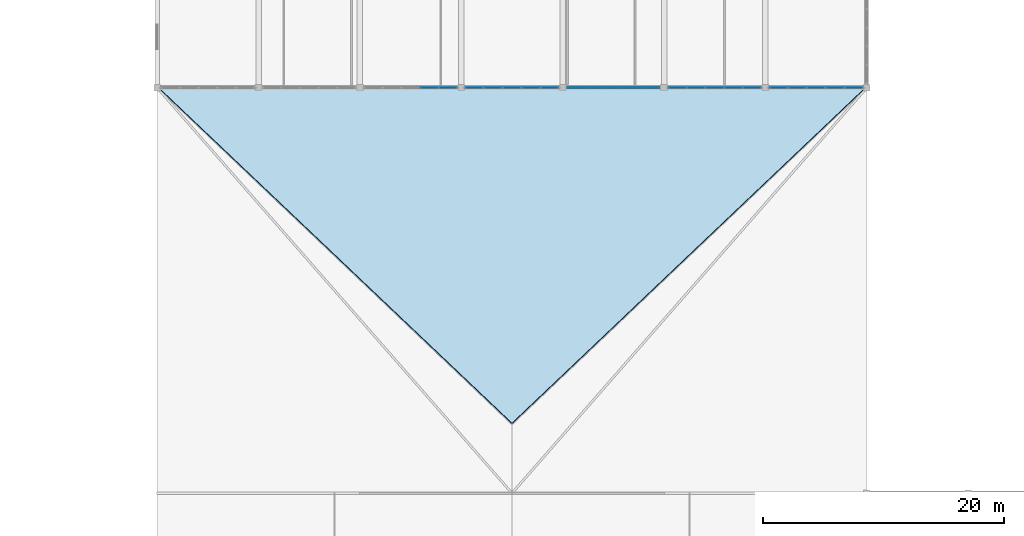
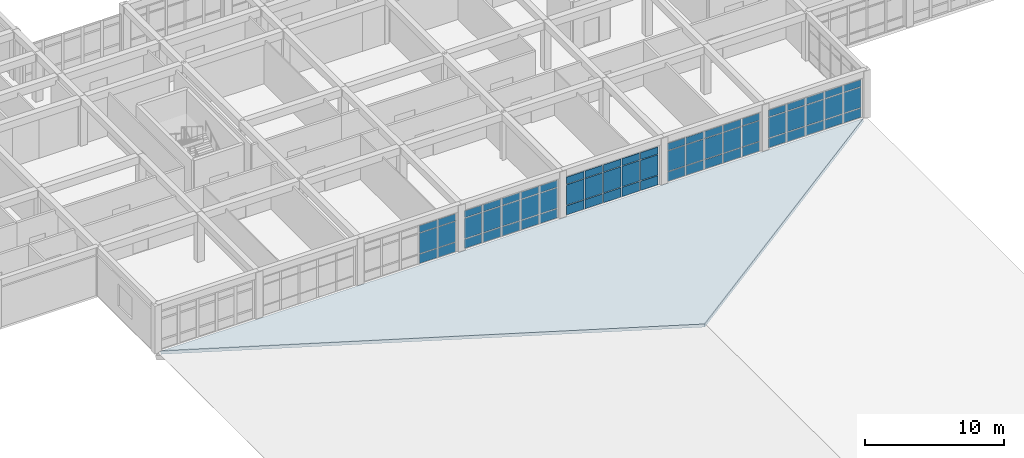
# One storey, part 35 of 77: 66 plates, 1 slab, 5 elements without a shape of their own.
"""IFC4 building model written with IfcOpenShell, lengths in metres."""

from ifc_helpers import new_model, si_unit, direction, frame, origin, origin_2d, place, context, subcontext, project, spatial, polyline, rectangle, outline, extrude, material, layer, layer_set, type_object, element, aggregate, save


model = new_model("IFC4")

# Units and contexts
model_context = context("Model", 3, precision=1e-05, world=origin(), true_north=direction((0.0, 1.0)))
body_context = subcontext(model_context, "Body", "Model", "MODEL_VIEW")
ifc_project = project(units=[si_unit("LENGTHUNIT", "METRE"), si_unit("AREAUNIT", "SQUARE_METRE"), si_unit("VOLUMEUNIT", "CUBIC_METRE"), si_unit("PLANEANGLEUNIT", "RADIAN"), si_unit("MASSUNIT", "GRAM", prefix="KILO")], contexts=[model_context])

# Site, building, storey
site_placement = place(None, origin())
site = spatial("IfcSite", under=ifc_project, at=site_placement, CompositionType="ELEMENT")
building_placement = place(site_placement, origin())
building = spatial("IfcBuilding", under=site, at=building_placement, Name="Varncliffe General Hospital", CompositionType="ELEMENT")
storey_placement = place(building_placement, frame((0.0, 0.0, 16.199951171875)))
storey = spatial("IfcBuildingStorey", under=building, at=storey_placement, Name="L03", CompositionType="ELEMENT", Elevation=16.199951171875)

# Curtain wall, plates
ifc_material_1 = material(Name="Triple low-E argon insulated vision glazing", Category="glass")
curtain_wall_type_1 = type_object("IfcCurtainWallType", Name="Unitised Glazed Curtain Wall CW23 (7774x3440)", PredefinedType="USERDEFINED", material=ifc_material_1)
curtain_wall_1_placement = place(storey_placement, origin())
curtain_wall_1 = element("IfcCurtainWall", 1, at=curtain_wall_1_placement, inside=storey, type_object=curtain_wall_type_1, Name="L03 Glazed Curtain Wall CW23-175", ObjectType="GLAZED CURTAIN WALL", PredefinedType="USERDEFINED")
ifc_layer_1 = layer(ifc_material_1, 0.035888671875)
ifc_layer_set_1 = layer_set([ifc_layer_1], Name="Triple low-E argon insulated vision glazing")
plate_type_1 = type_object("IfcPlateType", Name="Curtain Wall Glazing Panel CP27 (36mm)", PredefinedType="CURTAIN_PANEL", material=ifc_layer_set_1)
plate_1_placement = place(storey_placement, frame((108.0908203125, 74.39990234375, 0.06005859375), z_axis=(0.0, 0.0, 1.0), x_axis=(-1.0, 0.0, 0.0)))
plate_1 = element("IfcPlate", 2, at=plate_1_placement, type_object=plate_type_1, Name="CW23 panel 1.1", PredefinedType="CURTAIN_PANEL", context=body_context, shape_type="SweptSolid", body=[
    extrude(rectangle(XDim=1.4423828125, YDim=0.035888671875, at=origin_2d()), origin(), (0.0, 0.0, 1.0), 0.81005859375),
])
plate_2_placement = place(storey_placement, frame((108.0908203125, 74.39990234375, 0.93017578125), z_axis=(0.0, 0.0, 1.0), x_axis=(-1.0, 0.0, 0.0)))
plate_2 = element("IfcPlate", 3, at=plate_2_placement, type_object=plate_type_1, Name="CW23 panel 1.2", PredefinedType="CURTAIN_PANEL", context=body_context, shape_type="SweptSolid", body=[
    extrude(rectangle(XDim=1.4423828125, YDim=0.035888671875, at=origin_2d()), origin(), (0.0, 0.0, 1.0), 1.780029296875),
])
plate_3_placement = place(storey_placement, frame((108.0908203125, 74.39990234375, 2.77001953125), z_axis=(0.0, 0.0, 1.0), x_axis=(-1.0, 0.0, 0.0)))
plate_3 = element("IfcPlate", 4, at=plate_3_placement, type_object=plate_type_1, Name="CW23 panel 1.3", PredefinedType="CURTAIN_PANEL", context=body_context, shape_type="SweptSolid", body=[
    extrude(rectangle(XDim=1.4423828125, YDim=0.035888671875, at=origin_2d()), origin(), (0.0, 0.0, 1.0), 0.610107421875),
])
plate_4_placement = place(storey_placement, frame((106.5546875, 74.39990234375, 0.06005859375), z_axis=(0.0, 0.0, 1.0), x_axis=(-1.0, 0.0, 0.0)))
plate_4 = element("IfcPlate", 5, at=plate_4_placement, type_object=plate_type_1, Name="CW23 panel 2.1", PredefinedType="CURTAIN_PANEL", context=body_context, shape_type="SweptSolid", body=[
    extrude(rectangle(XDim=1.479736328125, YDim=0.035888671875, at=origin_2d()), origin(), (0.0, 0.0, 1.0), 0.81005859375),
])
plate_5_placement = place(storey_placement, frame((106.5546875, 74.39990234375, 0.93017578125), z_axis=(0.0, 0.0, 1.0), x_axis=(-1.0, 0.0, 0.0)))
plate_5 = element("IfcPlate", 6, at=plate_5_placement, type_object=plate_type_1, Name="CW23 panel 2.2", PredefinedType="CURTAIN_PANEL", context=body_context, shape_type="SweptSolid", body=[
    extrude(rectangle(XDim=1.479736328125, YDim=0.035888671875, at=origin_2d()), origin(), (0.0, 0.0, 1.0), 1.780029296875),
])
plate_6_placement = place(storey_placement, frame((106.5546875, 74.39990234375, 2.77001953125), z_axis=(0.0, 0.0, 1.0), x_axis=(-1.0, 0.0, 0.0)))
plate_6 = element("IfcPlate", 7, at=plate_6_placement, type_object=plate_type_1, Name="CW23 panel 2.3", PredefinedType="CURTAIN_PANEL", context=body_context, shape_type="SweptSolid", body=[
    extrude(rectangle(XDim=1.479736328125, YDim=0.035888671875, at=origin_2d()), origin(), (0.0, 0.0, 1.0), 0.610107421875),
])
plate_7_placement = place(storey_placement, frame((105.0, 74.39990234375, 0.06005859375), z_axis=(0.0, 0.0, 1.0), x_axis=(-1.0, 0.0, 0.0)))
plate_7 = element("IfcPlate", 8, at=plate_7_placement, type_object=plate_type_1, Name="CW23 panel 3.1", PredefinedType="CURTAIN_PANEL", context=body_context, shape_type="SweptSolid", body=[
    extrude(rectangle(XDim=1.479736328125, YDim=0.035888671875, at=origin_2d()), origin(), (0.0, 0.0, 1.0), 0.81005859375),
])
plate_8_placement = place(storey_placement, frame((105.0, 74.39990234375, 0.93017578125), z_axis=(0.0, 0.0, 1.0), x_axis=(-1.0, 0.0, 0.0)))
plate_8 = element("IfcPlate", 9, at=plate_8_placement, type_object=plate_type_1, Name="CW23 panel 3.2", PredefinedType="CURTAIN_PANEL", context=body_context, shape_type="SweptSolid", body=[
    extrude(rectangle(XDim=1.479736328125, YDim=0.035888671875, at=origin_2d()), origin(), (0.0, 0.0, 1.0), 1.780029296875),
])
plate_9_placement = place(storey_placement, frame((105.0, 74.39990234375, 2.77001953125), z_axis=(0.0, 0.0, 1.0), x_axis=(-1.0, 0.0, 0.0)))
plate_9 = element("IfcPlate", 10, at=plate_9_placement, type_object=plate_type_1, Name="CW23 panel 3.3", PredefinedType="CURTAIN_PANEL", context=body_context, shape_type="SweptSolid", body=[
    extrude(rectangle(XDim=1.479736328125, YDim=0.035888671875, at=origin_2d()), origin(), (0.0, 0.0, 1.0), 0.610107421875),
])
plate_10_placement = place(storey_placement, frame((103.4453125, 74.39990234375, 0.06005859375), z_axis=(0.0, 0.0, 1.0), x_axis=(-1.0, 0.0, 0.0)))
plate_10 = element("IfcPlate", 11, at=plate_10_placement, type_object=plate_type_1, Name="CW23 panel 4.1", PredefinedType="CURTAIN_PANEL", context=body_context, shape_type="SweptSolid", body=[
    extrude(rectangle(XDim=1.479736328125, YDim=0.035888671875, at=origin_2d()), origin(), (0.0, 0.0, 1.0), 0.81005859375),
])
plate_11_placement = place(storey_placement, frame((103.4453125, 74.39990234375, 0.93017578125), z_axis=(0.0, 0.0, 1.0), x_axis=(-1.0, 0.0, 0.0)))
plate_11 = element("IfcPlate", 12, at=plate_11_placement, type_object=plate_type_1, Name="CW23 panel 4.2", PredefinedType="CURTAIN_PANEL", context=body_context, shape_type="SweptSolid", body=[
    extrude(rectangle(XDim=1.479736328125, YDim=0.035888671875, at=origin_2d()), origin(), (0.0, 0.0, 1.0), 1.780029296875),
])
plate_12_placement = place(storey_placement, frame((103.4453125, 74.39990234375, 2.77001953125), z_axis=(0.0, 0.0, 1.0), x_axis=(-1.0, 0.0, 0.0)))
plate_12 = element("IfcPlate", 13, at=plate_12_placement, type_object=plate_type_1, Name="CW23 panel 4.3", PredefinedType="CURTAIN_PANEL", context=body_context, shape_type="SweptSolid", body=[
    extrude(rectangle(XDim=1.479736328125, YDim=0.035888671875, at=origin_2d()), origin(), (0.0, 0.0, 1.0), 0.610107421875),
])
plate_13_placement = place(storey_placement, frame((101.9091796875, 74.39990234375, 0.06005859375), z_axis=(0.0, 0.0, 1.0), x_axis=(-1.0, 0.0, 0.0)))
plate_13 = element("IfcPlate", 14, at=plate_13_placement, type_object=plate_type_1, Name="CW23 panel 5.1", PredefinedType="CURTAIN_PANEL", context=body_context, shape_type="SweptSolid", body=[
    extrude(rectangle(XDim=1.4423828125, YDim=0.035888671875, at=origin_2d()), origin(), (0.0, 0.0, 1.0), 0.81005859375),
])
plate_14_placement = place(storey_placement, frame((101.9091796875, 74.39990234375, 0.93017578125), z_axis=(0.0, 0.0, 1.0), x_axis=(-1.0, 0.0, 0.0)))
plate_14 = element("IfcPlate", 15, at=plate_14_placement, type_object=plate_type_1, Name="CW23 panel 5.2", PredefinedType="CURTAIN_PANEL", context=body_context, shape_type="SweptSolid", body=[
    extrude(rectangle(XDim=1.4423828125, YDim=0.035888671875, at=origin_2d()), origin(), (0.0, 0.0, 1.0), 1.780029296875),
])
plate_15_placement = place(storey_placement, frame((101.9091796875, 74.39990234375, 2.77001953125), z_axis=(0.0, 0.0, 1.0), x_axis=(-1.0, 0.0, 0.0)))
plate_15 = element("IfcPlate", 16, at=plate_15_placement, type_object=plate_type_1, Name="CW23 panel 5.3", PredefinedType="CURTAIN_PANEL", context=body_context, shape_type="SweptSolid", body=[
    extrude(rectangle(XDim=1.4423828125, YDim=0.035888671875, at=origin_2d()), origin(), (0.0, 0.0, 1.0), 0.610107421875),
])
aggregate(curtain_wall_1, [plate_1, plate_2, plate_3, plate_4, plate_5, plate_6, plate_7, plate_8, plate_9, plate_10, plate_11, plate_12, plate_13, plate_14, plate_15])

curtain_wall_2_placement = place(storey_placement, origin())
curtain_wall_2 = element("IfcCurtainWall", 17, at=curtain_wall_2_placement, inside=storey, type_object=curtain_wall_type_1, Name="L03 Glazed Curtain Wall CW23-178", ObjectType="GLAZED CURTAIN WALL", PredefinedType="USERDEFINED")
plate_16_placement = place(storey_placement, frame((82.890869140625, 74.39990234375, 0.06005859375), z_axis=(0.0, 0.0, 1.0), x_axis=(-1.0, 0.0, 0.0)))
plate_16 = element("IfcPlate", 18, at=plate_16_placement, type_object=plate_type_1, Name="CW23 panel 1.1", PredefinedType="CURTAIN_PANEL", context=body_context, shape_type="SweptSolid", body=[
    extrude(rectangle(XDim=1.4423828125, YDim=0.035888671875, at=origin_2d()), origin(), (0.0, 0.0, 1.0), 0.81005859375),
])
plate_17_placement = place(storey_placement, frame((82.890869140625, 74.39990234375, 0.93017578125), z_axis=(0.0, 0.0, 1.0), x_axis=(-1.0, 0.0, 0.0)))
plate_17 = element("IfcPlate", 19, at=plate_17_placement, type_object=plate_type_1, Name="CW23 panel 1.2", PredefinedType="CURTAIN_PANEL", context=body_context, shape_type="SweptSolid", body=[
    extrude(rectangle(XDim=1.4423828125, YDim=0.035888671875, at=origin_2d()), origin(), (0.0, 0.0, 1.0), 1.780029296875),
])
plate_18_placement = place(storey_placement, frame((82.890869140625, 74.39990234375, 2.77001953125), z_axis=(0.0, 0.0, 1.0), x_axis=(-1.0, 0.0, 0.0)))
plate_18 = element("IfcPlate", 20, at=plate_18_placement, type_object=plate_type_1, Name="CW23 panel 1.3", PredefinedType="CURTAIN_PANEL", context=body_context, shape_type="SweptSolid", body=[
    extrude(rectangle(XDim=1.4423828125, YDim=0.035888671875, at=origin_2d()), origin(), (0.0, 0.0, 1.0), 0.610107421875),
])
plate_19_placement = place(storey_placement, frame((81.354736328125, 74.39990234375, 0.06005859375), z_axis=(0.0, 0.0, 1.0), x_axis=(-1.0, 0.0, 0.0)))
plate_19 = element("IfcPlate", 21, at=plate_19_placement, type_object=plate_type_1, Name="CW23 panel 2.1", PredefinedType="CURTAIN_PANEL", context=body_context, shape_type="SweptSolid", body=[
    extrude(rectangle(XDim=1.479736328125, YDim=0.035888671875, at=origin_2d()), origin(), (0.0, 0.0, 1.0), 0.81005859375),
])
plate_20_placement = place(storey_placement, frame((81.354736328125, 74.39990234375, 0.93017578125), z_axis=(0.0, 0.0, 1.0), x_axis=(-1.0, 0.0, 0.0)))
plate_20 = element("IfcPlate", 22, at=plate_20_placement, type_object=plate_type_1, Name="CW23 panel 2.2", PredefinedType="CURTAIN_PANEL", context=body_context, shape_type="SweptSolid", body=[
    extrude(rectangle(XDim=1.479736328125, YDim=0.035888671875, at=origin_2d()), origin(), (0.0, 0.0, 1.0), 1.780029296875),
])
plate_21_placement = place(storey_placement, frame((81.354736328125, 74.39990234375, 2.77001953125), z_axis=(0.0, 0.0, 1.0), x_axis=(-1.0, 0.0, 0.0)))
plate_21 = element("IfcPlate", 23, at=plate_21_placement, type_object=plate_type_1, Name="CW23 panel 2.3", PredefinedType="CURTAIN_PANEL", context=body_context, shape_type="SweptSolid", body=[
    extrude(rectangle(XDim=1.479736328125, YDim=0.035888671875, at=origin_2d()), origin(), (0.0, 0.0, 1.0), 0.610107421875),
])
aggregate(curtain_wall_2, [plate_16, plate_17, plate_18, plate_19, plate_20, plate_21])

curtain_wall_type_2 = type_object("IfcCurtainWallType", Name="Unitised Glazed Curtain Wall CW37 (7694x3440)", PredefinedType="USERDEFINED", material=ifc_material_1)
curtain_wall_3_placement = place(storey_placement, origin())
curtain_wall_3 = element("IfcCurtainWall", 24, at=curtain_wall_3_placement, inside=storey, type_object=curtain_wall_type_2, Name="L03 Glazed Curtain Wall CW37-176", ObjectType="GLAZED CURTAIN WALL", PredefinedType="USERDEFINED")
ifc_material_2 = material(Name="Insulated ceramic-fritted spandrel glazing panel", Category="glass")
ifc_layer_2 = layer(ifc_material_2, 0.06396484375)
ifc_layer_set_2 = layer_set([ifc_layer_2], Name="Insulated ceramic-fritted spandrel glazing panel")
plate_type_2 = type_object("IfcPlateType", Name="Curtain Wall Glazing Panel CP41 (64mm)", PredefinedType="CURTAIN_PANEL", material=ifc_layer_set_2)
plate_22_placement = place(storey_placement, frame((99.661376953125, 74.39990234375, 0.06005859375), z_axis=(0.0, 0.0, 1.0), x_axis=(-1.0, 0.0, 0.0)))
plate_22 = element("IfcPlate", 25, at=plate_22_placement, type_object=plate_type_2, Name="CW37 panel 1.1", PredefinedType="CURTAIN_PANEL", context=body_context, shape_type="SweptSolid", body=[
    extrude(rectangle(XDim=1.44140625, YDim=0.06396484375, at=origin_2d()), origin(), (0.0, 0.0, 1.0), 0.81005859375),
])
plate_23_placement = place(storey_placement, frame((99.661376953125, 74.39990234375, 0.93017578125), z_axis=(0.0, 0.0, 1.0), x_axis=(-1.0, 0.0, 0.0)))
plate_23 = element("IfcPlate", 26, at=plate_23_placement, type_object=plate_type_2, Name="CW37 panel 1.2", PredefinedType="CURTAIN_PANEL", context=body_context, shape_type="SweptSolid", body=[
    extrude(rectangle(XDim=1.44140625, YDim=0.06396484375, at=origin_2d()), origin(), (0.0, 0.0, 1.0), 1.780029296875),
])
plate_24_placement = place(storey_placement, frame((99.661376953125, 74.39990234375, 2.77001953125), z_axis=(0.0, 0.0, 1.0), x_axis=(-1.0, 0.0, 0.0)))
plate_24 = element("IfcPlate", 27, at=plate_24_placement, type_object=plate_type_2, Name="CW37 panel 1.3", PredefinedType="CURTAIN_PANEL", context=body_context, shape_type="SweptSolid", body=[
    extrude(rectangle(XDim=1.44140625, YDim=0.06396484375, at=origin_2d()), origin(), (0.0, 0.0, 1.0), 0.610107421875),
])
plate_25_placement = place(storey_placement, frame((98.138916015625, 74.39990234375, 0.06005859375), z_axis=(0.0, 0.0, 1.0), x_axis=(-1.0, 0.0, 0.0)))
plate_25 = element("IfcPlate", 28, at=plate_25_placement, type_object=plate_type_2, Name="CW37 panel 2.1", PredefinedType="CURTAIN_PANEL", context=body_context, shape_type="SweptSolid", body=[
    extrude(rectangle(XDim=1.473876953125, YDim=0.06396484375, at=origin_2d()), origin(), (0.0, 0.0, 1.0), 0.81005859375),
])
plate_26_placement = place(storey_placement, frame((98.138916015625, 74.39990234375, 0.93017578125), z_axis=(0.0, 0.0, 1.0), x_axis=(-1.0, 0.0, 0.0)))
plate_26 = element("IfcPlate", 29, at=plate_26_placement, type_object=plate_type_2, Name="CW37 panel 2.2", PredefinedType="CURTAIN_PANEL", context=body_context, shape_type="SweptSolid", body=[
    extrude(rectangle(XDim=1.473876953125, YDim=0.06396484375, at=origin_2d()), origin(), (0.0, 0.0, 1.0), 1.780029296875),
])
plate_27_placement = place(storey_placement, frame((98.138916015625, 74.39990234375, 2.77001953125), z_axis=(0.0, 0.0, 1.0), x_axis=(-1.0, 0.0, 0.0)))
plate_27 = element("IfcPlate", 30, at=plate_27_placement, type_object=plate_type_2, Name="CW37 panel 2.3", PredefinedType="CURTAIN_PANEL", context=body_context, shape_type="SweptSolid", body=[
    extrude(rectangle(XDim=1.473876953125, YDim=0.06396484375, at=origin_2d()), origin(), (0.0, 0.0, 1.0), 0.610107421875),
])
plate_28_placement = place(storey_placement, frame((96.60009765625, 74.39990234375, 0.06005859375), z_axis=(0.0, 0.0, 1.0), x_axis=(-1.0, 0.0, 0.0)))
plate_28 = element("IfcPlate", 31, at=plate_28_placement, type_object=plate_type_2, Name="CW37 panel 3.1", PredefinedType="CURTAIN_PANEL", context=body_context, shape_type="SweptSolid", body=[
    extrude(rectangle(XDim=1.473876953125, YDim=0.06396484375, at=origin_2d()), origin(), (0.0, 0.0, 1.0), 0.81005859375),
])
plate_29_placement = place(storey_placement, frame((96.60009765625, 74.39990234375, 0.93017578125), z_axis=(0.0, 0.0, 1.0), x_axis=(-1.0, 0.0, 0.0)))
plate_29 = element("IfcPlate", 32, at=plate_29_placement, type_object=plate_type_2, Name="CW37 panel 3.2", PredefinedType="CURTAIN_PANEL", context=body_context, shape_type="SweptSolid", body=[
    extrude(rectangle(XDim=1.473876953125, YDim=0.06396484375, at=origin_2d()), origin(), (0.0, 0.0, 1.0), 1.780029296875),
])
plate_30_placement = place(storey_placement, frame((96.60009765625, 74.39990234375, 2.77001953125), z_axis=(0.0, 0.0, 1.0), x_axis=(-1.0, 0.0, 0.0)))
plate_30 = element("IfcPlate", 33, at=plate_30_placement, type_object=plate_type_2, Name="CW37 panel 3.3", PredefinedType="CURTAIN_PANEL", context=body_context, shape_type="SweptSolid", body=[
    extrude(rectangle(XDim=1.473876953125, YDim=0.06396484375, at=origin_2d()), origin(), (0.0, 0.0, 1.0), 0.610107421875),
])
plate_31_placement = place(storey_placement, frame((95.061279296875, 74.39990234375, 0.06005859375), z_axis=(0.0, 0.0, 1.0), x_axis=(-1.0, 0.0, 0.0)))
plate_31 = element("IfcPlate", 34, at=plate_31_placement, type_object=plate_type_2, Name="CW37 panel 4.1", PredefinedType="CURTAIN_PANEL", context=body_context, shape_type="SweptSolid", body=[
    extrude(rectangle(XDim=1.473876953125, YDim=0.06396484375, at=origin_2d()), origin(), (0.0, 0.0, 1.0), 0.81005859375),
])
plate_32_placement = place(storey_placement, frame((95.061279296875, 74.39990234375, 0.93017578125), z_axis=(0.0, 0.0, 1.0), x_axis=(-1.0, 0.0, 0.0)))
plate_32 = element("IfcPlate", 35, at=plate_32_placement, type_object=plate_type_2, Name="CW37 panel 4.2", PredefinedType="CURTAIN_PANEL", context=body_context, shape_type="SweptSolid", body=[
    extrude(rectangle(XDim=1.473876953125, YDim=0.06396484375, at=origin_2d()), origin(), (0.0, 0.0, 1.0), 1.780029296875),
])
plate_33_placement = place(storey_placement, frame((95.061279296875, 74.39990234375, 2.77001953125), z_axis=(0.0, 0.0, 1.0), x_axis=(-1.0, 0.0, 0.0)))
plate_33 = element("IfcPlate", 36, at=plate_33_placement, type_object=plate_type_2, Name="CW37 panel 4.3", PredefinedType="CURTAIN_PANEL", context=body_context, shape_type="SweptSolid", body=[
    extrude(rectangle(XDim=1.473876953125, YDim=0.06396484375, at=origin_2d()), origin(), (0.0, 0.0, 1.0), 0.610107421875),
])
plate_34_placement = place(storey_placement, frame((93.53857421875, 74.39990234375, 0.06005859375), z_axis=(0.0, 0.0, 1.0), x_axis=(-1.0, 0.0, 0.0)))
plate_34 = element("IfcPlate", 37, at=plate_34_placement, type_object=plate_type_2, Name="CW37 panel 5.1", PredefinedType="CURTAIN_PANEL", context=body_context, shape_type="SweptSolid", body=[
    extrude(rectangle(XDim=1.44140625, YDim=0.06396484375, at=origin_2d()), origin(), (0.0, 0.0, 1.0), 0.81005859375),
])
plate_35_placement = place(storey_placement, frame((93.53857421875, 74.39990234375, 0.93017578125), z_axis=(0.0, 0.0, 1.0), x_axis=(-1.0, 0.0, 0.0)))
plate_35 = element("IfcPlate", 38, at=plate_35_placement, type_object=plate_type_2, Name="CW37 panel 5.2", PredefinedType="CURTAIN_PANEL", context=body_context, shape_type="SweptSolid", body=[
    extrude(rectangle(XDim=1.44140625, YDim=0.06396484375, at=origin_2d()), origin(), (0.0, 0.0, 1.0), 1.780029296875),
])
plate_36_placement = place(storey_placement, frame((93.53857421875, 74.39990234375, 2.77001953125), z_axis=(0.0, 0.0, 1.0), x_axis=(-1.0, 0.0, 0.0)))
plate_36 = element("IfcPlate", 39, at=plate_36_placement, type_object=plate_type_2, Name="CW37 panel 5.3", PredefinedType="CURTAIN_PANEL", context=body_context, shape_type="SweptSolid", body=[
    extrude(rectangle(XDim=1.44140625, YDim=0.06396484375, at=origin_2d()), origin(), (0.0, 0.0, 1.0), 0.610107421875),
])
aggregate(curtain_wall_3, [plate_22, plate_23, plate_24, plate_25, plate_26, plate_27, plate_28, plate_29, plate_30, plate_31, plate_32, plate_33, plate_34, plate_35, plate_36])

curtain_wall_type_3 = type_object("IfcCurtainWallType", Name="Unitised Glazed Curtain Wall CW83 (7854x3440)", PredefinedType="USERDEFINED", material=ifc_material_1)
curtain_wall_4_placement = place(storey_placement, origin())
curtain_wall_4 = element("IfcCurtainWall", 40, at=curtain_wall_4_placement, inside=storey, type_object=curtain_wall_type_3, Name="L03 Glazed Curtain Wall CW83-174", ObjectType="GLAZED CURTAIN WALL", PredefinedType="USERDEFINED")
ifc_layer_3 = layer(ifc_material_1, 0.028076171875)
ifc_layer_set_3 = layer_set([ifc_layer_3], Name="Triple low-E argon insulated vision glazing")
plate_type_3 = type_object("IfcPlateType", Name="Curtain Wall Glazing Panel CP48 (28mm)", PredefinedType="CURTAIN_PANEL", material=ifc_layer_set_3)
plate_37_placement = place(storey_placement, frame((116.52294921875, 74.39990234375, 0.06494140625), z_axis=(0.0, 0.0, 1.0), x_axis=(-1.0, 0.0, 0.0)))
plate_37 = element("IfcPlate", 41, at=plate_37_placement, type_object=plate_type_3, Name="CW83 panel 1.1", PredefinedType="CURTAIN_PANEL", context=body_context, shape_type="SweptSolid", body=[
    extrude(rectangle(XDim=1.458251953125, YDim=0.028076171875, at=origin_2d()), origin(), (0.0, 0.0, 1.0), 0.802490234375),
])
plate_38_placement = place(storey_placement, frame((116.52294921875, 74.39990234375, 0.9326171875), z_axis=(0.0, 0.0, 1.0), x_axis=(-1.0, 0.0, 0.0)))
plate_38 = element("IfcPlate", 42, at=plate_38_placement, type_object=plate_type_3, Name="CW83 panel 1.2", PredefinedType="CURTAIN_PANEL", context=body_context, shape_type="SweptSolid", body=[
    extrude(rectangle(XDim=1.458251953125, YDim=0.028076171875, at=origin_2d()), origin(), (0.0, 0.0, 1.0), 1.77490234375),
])
plate_39_placement = place(storey_placement, frame((116.52294921875, 74.39990234375, 2.7724609375), z_axis=(0.0, 0.0, 1.0), x_axis=(-1.0, 0.0, 0.0)))
plate_39 = element("IfcPlate", 43, at=plate_39_placement, type_object=plate_type_3, Name="CW83 panel 1.3", PredefinedType="CURTAIN_PANEL", context=body_context, shape_type="SweptSolid", body=[
    extrude(rectangle(XDim=1.458251953125, YDim=0.028076171875, at=origin_2d()), origin(), (0.0, 0.0, 1.0), 0.6025390625),
])
plate_40_placement = place(storey_placement, frame((114.970703125, 74.39990234375, 0.06494140625), z_axis=(0.0, 0.0, 1.0), x_axis=(-1.0, 0.0, 0.0)))
plate_40 = element("IfcPlate", 44, at=plate_40_placement, type_object=plate_type_3, Name="CW83 panel 2.1", PredefinedType="CURTAIN_PANEL", context=body_context, shape_type="SweptSolid", body=[
    extrude(rectangle(XDim=1.495849609375, YDim=0.028076171875, at=origin_2d()), origin(), (0.0, 0.0, 1.0), 0.802490234375),
])
plate_41_placement = place(storey_placement, frame((114.970703125, 74.39990234375, 0.9326171875), z_axis=(0.0, 0.0, 1.0), x_axis=(-1.0, 0.0, 0.0)))
plate_41 = element("IfcPlate", 45, at=plate_41_placement, type_object=plate_type_3, Name="CW83 panel 2.2", PredefinedType="CURTAIN_PANEL", context=body_context, shape_type="SweptSolid", body=[
    extrude(rectangle(XDim=1.495849609375, YDim=0.028076171875, at=origin_2d()), origin(), (0.0, 0.0, 1.0), 1.77490234375),
])
plate_42_placement = place(storey_placement, frame((114.970703125, 74.39990234375, 2.7724609375), z_axis=(0.0, 0.0, 1.0), x_axis=(-1.0, 0.0, 0.0)))
plate_42 = element("IfcPlate", 46, at=plate_42_placement, type_object=plate_type_3, Name="CW83 panel 2.3", PredefinedType="CURTAIN_PANEL", context=body_context, shape_type="SweptSolid", body=[
    extrude(rectangle(XDim=1.495849609375, YDim=0.028076171875, at=origin_2d()), origin(), (0.0, 0.0, 1.0), 0.6025390625),
])
plate_43_placement = place(storey_placement, frame((113.39990234375, 74.39990234375, 0.06494140625), z_axis=(0.0, 0.0, 1.0), x_axis=(-1.0, 0.0, 0.0)))
plate_43 = element("IfcPlate", 47, at=plate_43_placement, type_object=plate_type_3, Name="CW83 panel 3.1", PredefinedType="CURTAIN_PANEL", context=body_context, shape_type="SweptSolid", body=[
    extrude(rectangle(XDim=1.495849609375, YDim=0.028076171875, at=origin_2d()), origin(), (0.0, 0.0, 1.0), 0.802490234375),
])
plate_44_placement = place(storey_placement, frame((113.39990234375, 74.39990234375, 0.9326171875), z_axis=(0.0, 0.0, 1.0), x_axis=(-1.0, 0.0, 0.0)))
plate_44 = element("IfcPlate", 48, at=plate_44_placement, type_object=plate_type_3, Name="CW83 panel 3.2", PredefinedType="CURTAIN_PANEL", context=body_context, shape_type="SweptSolid", body=[
    extrude(rectangle(XDim=1.495849609375, YDim=0.028076171875, at=origin_2d()), origin(), (0.0, 0.0, 1.0), 1.77490234375),
])
plate_45_placement = place(storey_placement, frame((113.39990234375, 74.39990234375, 2.7724609375), z_axis=(0.0, 0.0, 1.0), x_axis=(-1.0, 0.0, 0.0)))
plate_45 = element("IfcPlate", 49, at=plate_45_placement, type_object=plate_type_3, Name="CW83 panel 3.3", PredefinedType="CURTAIN_PANEL", context=body_context, shape_type="SweptSolid", body=[
    extrude(rectangle(XDim=1.495849609375, YDim=0.028076171875, at=origin_2d()), origin(), (0.0, 0.0, 1.0), 0.6025390625),
])
plate_46_placement = place(storey_placement, frame((111.8291015625, 74.39990234375, 0.06494140625), z_axis=(0.0, 0.0, 1.0), x_axis=(-1.0, 0.0, 0.0)))
plate_46 = element("IfcPlate", 50, at=plate_46_placement, type_object=plate_type_3, Name="CW83 panel 4.1", PredefinedType="CURTAIN_PANEL", context=body_context, shape_type="SweptSolid", body=[
    extrude(rectangle(XDim=1.495849609375, YDim=0.028076171875, at=origin_2d()), origin(), (0.0, 0.0, 1.0), 0.802490234375),
])
plate_47_placement = place(storey_placement, frame((111.8291015625, 74.39990234375, 0.9326171875), z_axis=(0.0, 0.0, 1.0), x_axis=(-1.0, 0.0, 0.0)))
plate_47 = element("IfcPlate", 51, at=plate_47_placement, type_object=plate_type_3, Name="CW83 panel 4.2", PredefinedType="CURTAIN_PANEL", context=body_context, shape_type="SweptSolid", body=[
    extrude(rectangle(XDim=1.495849609375, YDim=0.028076171875, at=origin_2d()), origin(), (0.0, 0.0, 1.0), 1.77490234375),
])
plate_48_placement = place(storey_placement, frame((111.8291015625, 74.39990234375, 2.7724609375), z_axis=(0.0, 0.0, 1.0), x_axis=(-1.0, 0.0, 0.0)))
plate_48 = element("IfcPlate", 52, at=plate_48_placement, type_object=plate_type_3, Name="CW83 panel 4.3", PredefinedType="CURTAIN_PANEL", context=body_context, shape_type="SweptSolid", body=[
    extrude(rectangle(XDim=1.495849609375, YDim=0.028076171875, at=origin_2d()), origin(), (0.0, 0.0, 1.0), 0.6025390625),
])
plate_49_placement = place(storey_placement, frame((110.277099609375, 74.39990234375, 0.06494140625), z_axis=(0.0, 0.0, 1.0), x_axis=(-1.0, 0.0, 0.0)))
plate_49 = element("IfcPlate", 53, at=plate_49_placement, type_object=plate_type_3, Name="CW83 panel 5.1", PredefinedType="CURTAIN_PANEL", context=body_context, shape_type="SweptSolid", body=[
    extrude(rectangle(XDim=1.458251953125, YDim=0.028076171875, at=origin_2d()), origin(), (0.0, 0.0, 1.0), 0.802490234375),
])
plate_50_placement = place(storey_placement, frame((110.277099609375, 74.39990234375, 0.9326171875), z_axis=(0.0, 0.0, 1.0), x_axis=(-1.0, 0.0, 0.0)))
plate_50 = element("IfcPlate", 54, at=plate_50_placement, type_object=plate_type_3, Name="CW83 panel 5.2", PredefinedType="CURTAIN_PANEL", context=body_context, shape_type="SweptSolid", body=[
    extrude(rectangle(XDim=1.458251953125, YDim=0.028076171875, at=origin_2d()), origin(), (0.0, 0.0, 1.0), 1.77490234375),
])
plate_51_placement = place(storey_placement, frame((110.277099609375, 74.39990234375, 2.7724609375), z_axis=(0.0, 0.0, 1.0), x_axis=(-1.0, 0.0, 0.0)))
plate_51 = element("IfcPlate", 55, at=plate_51_placement, type_object=plate_type_3, Name="CW83 panel 5.3", PredefinedType="CURTAIN_PANEL", context=body_context, shape_type="SweptSolid", body=[
    extrude(rectangle(XDim=1.458251953125, YDim=0.028076171875, at=origin_2d()), origin(), (0.0, 0.0, 1.0), 0.6025390625),
])
aggregate(curtain_wall_4, [plate_37, plate_38, plate_39, plate_40, plate_41, plate_42, plate_43, plate_44, plate_45, plate_46, plate_47, plate_48, plate_49, plate_50, plate_51])

curtain_wall_5_placement = place(storey_placement, origin())
curtain_wall_5 = element("IfcCurtainWall", 56, at=curtain_wall_5_placement, inside=storey, type_object=curtain_wall_type_3, Name="L03 Glazed Curtain Wall CW83-177", ObjectType="GLAZED CURTAIN WALL", PredefinedType="USERDEFINED")
plate_52_placement = place(storey_placement, frame((91.32275390625, 74.39990234375, 0.06494140625), z_axis=(0.0, 0.0, 1.0), x_axis=(-1.0, 0.0, 0.0)))
plate_52 = element("IfcPlate", 57, at=plate_52_placement, type_object=plate_type_3, Name="CW83 panel 1.1", PredefinedType="CURTAIN_PANEL", context=body_context, shape_type="SweptSolid", body=[
    extrude(rectangle(XDim=1.458251953125, YDim=0.028076171875, at=origin_2d()), origin(), (0.0, 0.0, 1.0), 0.802490234375),
])
plate_53_placement = place(storey_placement, frame((91.32275390625, 74.39990234375, 0.9326171875), z_axis=(0.0, 0.0, 1.0), x_axis=(-1.0, 0.0, 0.0)))
plate_53 = element("IfcPlate", 58, at=plate_53_placement, type_object=plate_type_3, Name="CW83 panel 1.2", PredefinedType="CURTAIN_PANEL", context=body_context, shape_type="SweptSolid", body=[
    extrude(rectangle(XDim=1.458251953125, YDim=0.028076171875, at=origin_2d()), origin(), (0.0, 0.0, 1.0), 1.77490234375),
])
plate_54_placement = place(storey_placement, frame((91.32275390625, 74.39990234375, 2.7724609375), z_axis=(0.0, 0.0, 1.0), x_axis=(-1.0, 0.0, 0.0)))
plate_54 = element("IfcPlate", 59, at=plate_54_placement, type_object=plate_type_3, Name="CW83 panel 1.3", PredefinedType="CURTAIN_PANEL", context=body_context, shape_type="SweptSolid", body=[
    extrude(rectangle(XDim=1.458251953125, YDim=0.028076171875, at=origin_2d()), origin(), (0.0, 0.0, 1.0), 0.6025390625),
])
plate_55_placement = place(storey_placement, frame((89.770751953125, 74.39990234375, 0.06494140625), z_axis=(0.0, 0.0, 1.0), x_axis=(-1.0, 0.0, 0.0)))
plate_55 = element("IfcPlate", 60, at=plate_55_placement, type_object=plate_type_3, Name="CW83 panel 2.1", PredefinedType="CURTAIN_PANEL", context=body_context, shape_type="SweptSolid", body=[
    extrude(rectangle(XDim=1.495849609375, YDim=0.028076171875, at=origin_2d()), origin(), (0.0, 0.0, 1.0), 0.802490234375),
])
plate_56_placement = place(storey_placement, frame((89.770751953125, 74.39990234375, 0.9326171875), z_axis=(0.0, 0.0, 1.0), x_axis=(-1.0, 0.0, 0.0)))
plate_56 = element("IfcPlate", 61, at=plate_56_placement, type_object=plate_type_3, Name="CW83 panel 2.2", PredefinedType="CURTAIN_PANEL", context=body_context, shape_type="SweptSolid", body=[
    extrude(rectangle(XDim=1.495849609375, YDim=0.028076171875, at=origin_2d()), origin(), (0.0, 0.0, 1.0), 1.77490234375),
])
plate_57_placement = place(storey_placement, frame((89.770751953125, 74.39990234375, 2.7724609375), z_axis=(0.0, 0.0, 1.0), x_axis=(-1.0, 0.0, 0.0)))
plate_57 = element("IfcPlate", 62, at=plate_57_placement, type_object=plate_type_3, Name="CW83 panel 2.3", PredefinedType="CURTAIN_PANEL", context=body_context, shape_type="SweptSolid", body=[
    extrude(rectangle(XDim=1.495849609375, YDim=0.028076171875, at=origin_2d()), origin(), (0.0, 0.0, 1.0), 0.6025390625),
])
plate_58_placement = place(storey_placement, frame((88.199951171875, 74.39990234375, 0.06494140625), z_axis=(0.0, 0.0, 1.0), x_axis=(-1.0, 0.0, 0.0)))
plate_58 = element("IfcPlate", 63, at=plate_58_placement, type_object=plate_type_3, Name="CW83 panel 3.1", PredefinedType="CURTAIN_PANEL", context=body_context, shape_type="SweptSolid", body=[
    extrude(rectangle(XDim=1.495849609375, YDim=0.028076171875, at=origin_2d()), origin(), (0.0, 0.0, 1.0), 0.802490234375),
])
plate_59_placement = place(storey_placement, frame((88.199951171875, 74.39990234375, 0.9326171875), z_axis=(0.0, 0.0, 1.0), x_axis=(-1.0, 0.0, 0.0)))
plate_59 = element("IfcPlate", 64, at=plate_59_placement, type_object=plate_type_3, Name="CW83 panel 3.2", PredefinedType="CURTAIN_PANEL", context=body_context, shape_type="SweptSolid", body=[
    extrude(rectangle(XDim=1.495849609375, YDim=0.028076171875, at=origin_2d()), origin(), (0.0, 0.0, 1.0), 1.77490234375),
])
plate_60_placement = place(storey_placement, frame((88.199951171875, 74.39990234375, 2.7724609375), z_axis=(0.0, 0.0, 1.0), x_axis=(-1.0, 0.0, 0.0)))
plate_60 = element("IfcPlate", 65, at=plate_60_placement, type_object=plate_type_3, Name="CW83 panel 3.3", PredefinedType="CURTAIN_PANEL", context=body_context, shape_type="SweptSolid", body=[
    extrude(rectangle(XDim=1.495849609375, YDim=0.028076171875, at=origin_2d()), origin(), (0.0, 0.0, 1.0), 0.6025390625),
])
plate_61_placement = place(storey_placement, frame((86.629150390625, 74.39990234375, 0.06494140625), z_axis=(0.0, 0.0, 1.0), x_axis=(-1.0, 0.0, 0.0)))
plate_61 = element("IfcPlate", 66, at=plate_61_placement, type_object=plate_type_3, Name="CW83 panel 4.1", PredefinedType="CURTAIN_PANEL", context=body_context, shape_type="SweptSolid", body=[
    extrude(rectangle(XDim=1.495849609375, YDim=0.028076171875, at=origin_2d()), origin(), (0.0, 0.0, 1.0), 0.802490234375),
])
plate_62_placement = place(storey_placement, frame((86.629150390625, 74.39990234375, 0.9326171875), z_axis=(0.0, 0.0, 1.0), x_axis=(-1.0, 0.0, 0.0)))
plate_62 = element("IfcPlate", 67, at=plate_62_placement, type_object=plate_type_3, Name="CW83 panel 4.2", PredefinedType="CURTAIN_PANEL", context=body_context, shape_type="SweptSolid", body=[
    extrude(rectangle(XDim=1.495849609375, YDim=0.028076171875, at=origin_2d()), origin(), (0.0, 0.0, 1.0), 1.77490234375),
])
plate_63_placement = place(storey_placement, frame((86.629150390625, 74.39990234375, 2.7724609375), z_axis=(0.0, 0.0, 1.0), x_axis=(-1.0, 0.0, 0.0)))
plate_63 = element("IfcPlate", 68, at=plate_63_placement, type_object=plate_type_3, Name="CW83 panel 4.3", PredefinedType="CURTAIN_PANEL", context=body_context, shape_type="SweptSolid", body=[
    extrude(rectangle(XDim=1.495849609375, YDim=0.028076171875, at=origin_2d()), origin(), (0.0, 0.0, 1.0), 0.6025390625),
])
plate_64_placement = place(storey_placement, frame((85.0771484375, 74.39990234375, 0.06494140625), z_axis=(0.0, 0.0, 1.0), x_axis=(-1.0, 0.0, 0.0)))
plate_64 = element("IfcPlate", 69, at=plate_64_placement, type_object=plate_type_3, Name="CW83 panel 5.1", PredefinedType="CURTAIN_PANEL", context=body_context, shape_type="SweptSolid", body=[
    extrude(rectangle(XDim=1.458251953125, YDim=0.028076171875, at=origin_2d()), origin(), (0.0, 0.0, 1.0), 0.802490234375),
])
plate_65_placement = place(storey_placement, frame((85.0771484375, 74.39990234375, 0.9326171875), z_axis=(0.0, 0.0, 1.0), x_axis=(-1.0, 0.0, 0.0)))
plate_65 = element("IfcPlate", 70, at=plate_65_placement, type_object=plate_type_3, Name="CW83 panel 5.2", PredefinedType="CURTAIN_PANEL", context=body_context, shape_type="SweptSolid", body=[
    extrude(rectangle(XDim=1.458251953125, YDim=0.028076171875, at=origin_2d()), origin(), (0.0, 0.0, 1.0), 1.77490234375),
])
plate_66_placement = place(storey_placement, frame((85.0771484375, 74.39990234375, 2.7724609375), z_axis=(0.0, 0.0, 1.0), x_axis=(-1.0, 0.0, 0.0)))
plate_66 = element("IfcPlate", 71, at=plate_66_placement, type_object=plate_type_3, Name="CW83 panel 5.3", PredefinedType="CURTAIN_PANEL", context=body_context, shape_type="SweptSolid", body=[
    extrude(rectangle(XDim=1.458251953125, YDim=0.028076171875, at=origin_2d()), origin(), (0.0, 0.0, 1.0), 0.6025390625),
])
aggregate(curtain_wall_5, [plate_52, plate_53, plate_54, plate_55, plate_56, plate_57, plate_58, plate_59, plate_60, plate_61, plate_62, plate_63, plate_64, plate_65, plate_66])

# Slab
ifc_material_3 = material(Name="Glulam GL28h (CSA O86 24f-EX, 30 MPa)", Category="wood")
ifc_layer_4 = layer(ifc_material_3, 0.239990234375)
ifc_layer_set_4 = layer_set([ifc_layer_4], Name="Glulam GL28h (CSA O86 24f-EX, 30 MPa)")
slab_type = type_object("IfcSlabType", Name="Roof Slab SL37 (Ext 240mm)", PredefinedType="ROOF", material=ifc_layer_set_4)
slab_placement = place(storey_placement, frame((117.320068359375, 74.260009765625, 0.0), z_axis=(0.0, 0.308109231237, 0.95135098761), x_axis=(-1.0, 0.0, 0.0)))
element("IfcSlab", 72, at=slab_placement, inside=storey, type_object=slab_type, Name="L03 RF-V1-MAIN Hipped Roof Slab N", PredefinedType="ROOF", context=body_context, shape_type="SweptSolid", body=[
    extrude(outline(polyline([(0.0, 0.0), (58.239990234375, 0.0), (29.1201171875, 29.063828916827685), (0.0, 0.0)])), origin(), (0.0, 0.0, -1.0), 0.239990234375),
])

save(model, "model.ifc")
